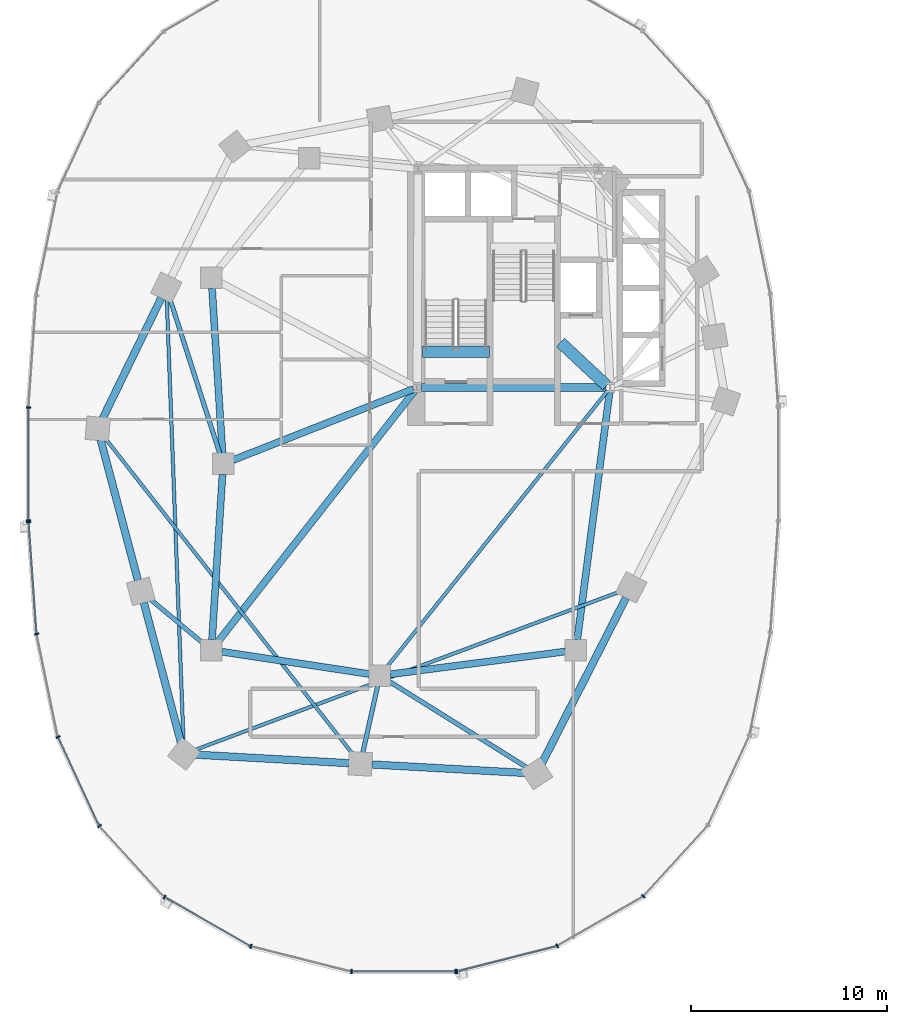
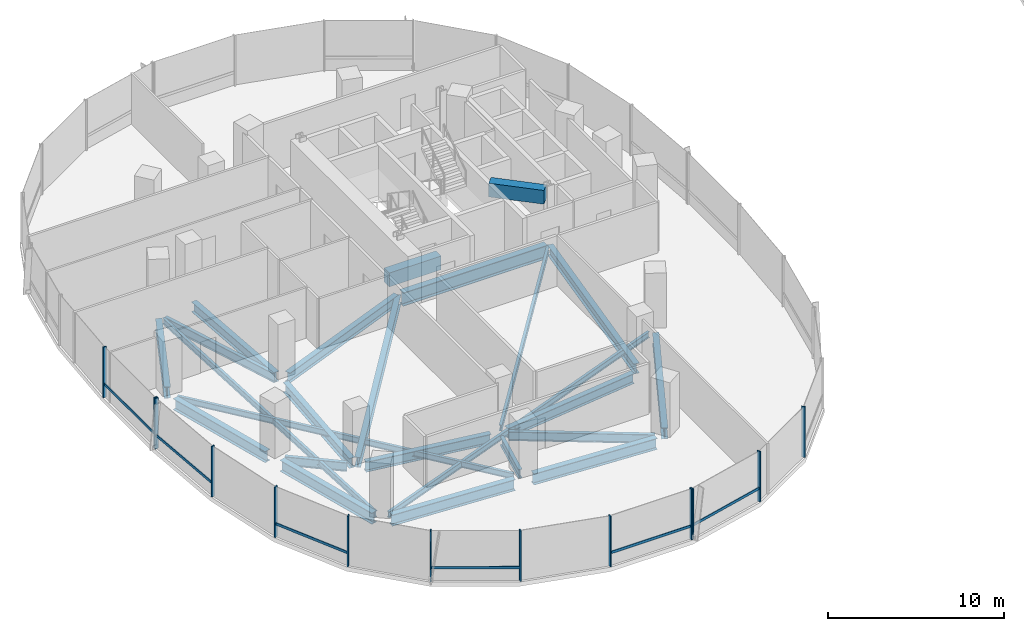
# One storey, part 2 of 21: 24 beams, 19 members, 3 elements without a shape of their own.
"""IFC4 building model written with IfcOpenShell, lengths in metres."""

from ifc_helpers import new_model, si_unit, direction, frame, origin, origin_2d, place, context, subcontext, project, spatial, rectangle, i_section, extrude, material, material_profile, profile_set, type_object, element, aggregate, save


model = new_model("IFC4")

# Units and contexts
model_context = context("Model", 3, precision=1e-05, world=origin(), true_north=direction((0.0, 1.0)))
body_context = subcontext(model_context, "Body", "Model", "MODEL_VIEW")
ifc_project = project(units=[si_unit("LENGTHUNIT", "METRE"), si_unit("AREAUNIT", "SQUARE_METRE"), si_unit("VOLUMEUNIT", "CUBIC_METRE"), si_unit("PLANEANGLEUNIT", "RADIAN"), si_unit("MASSUNIT", "GRAM", prefix="KILO"), si_unit("THERMODYNAMICTEMPERATUREUNIT", "KELVIN"), si_unit("POWERUNIT", "WATT")], contexts=[model_context])

# Site, building, storey
site_placement = place(None, origin())
site = spatial("IfcSite", under=ifc_project, at=site_placement, CompositionType="ELEMENT")
building_placement = place(site_placement, origin())
building = spatial("IfcBuilding", under=site, at=building_placement, Name="Cundina Bronze Exchange", CompositionType="ELEMENT")
storey_placement = place(building_placement, frame((0.0, 0.0, 27.800048828125)))
storey = spatial("IfcBuildingStorey", under=building, at=storey_placement, Name="L06", CompositionType="ELEMENT", Elevation=27.800048828125)

# Beams
ifc_material_1 = material(Name="Concrete C60/75", Category="concrete")
ifc_material_profile_1 = material_profile(ifc_material_1, rectangle(XDim=0.60009765625, YDim=0.949951171875, at=origin_2d()), Name="RC600X950", Category="concrete")
ifc_profile_set_1 = profile_set([ifc_material_profile_1], Name="Concrete C60/75")
beam_type_1 = type_object("IfcBeamType", Name="BM-COUP-RC950", PredefinedType="LINTEL", material=ifc_profile_set_1)
beam_1_placement = place(storey_placement, frame((-31.02001953125, 5.719970703125, -0.47509765625), z_axis=(1.0, 0.0, 0.0), x_axis=(0.0, 1.0, 0.0)))
element("IfcBeam", 1, at=beam_1_placement, inside=storey, type_object=beam_type_1, Name="L06 Stair W1 Landing Header Beam", PredefinedType="LINTEL", context=body_context, shape_type="SweptSolid", body=[
    extrude(rectangle(XDim=0.60009765625, YDim=0.949951171875, at=origin_2d()), origin(), (0.0, 0.0, 1.0), 3.39990234375),
])
beam_2_placement = place(storey_placement, frame((-23.989990234375, 6.199951171875, 3.02490234375), z_axis=(0.731490439815, -0.681851696822, 0.0), x_axis=(0.681851696822, 0.731490439815, 0.0)))
element("IfcBeam", 2, at=beam_2_placement, inside=storey, type_object=beam_type_1, Name="L06 W Core Shear Coupling Lintel Beam", PredefinedType="LINTEL", context=body_context, shape_type="SweptSolid", body=[
    extrude(rectangle(XDim=0.60009765625, YDim=0.949951171875, at=origin_2d()), origin(), (0.0, 0.0, 1.0), 3.226318359375),
])
ifc_material_2 = material(Name="Steel ASTM A992 Grade 50", Category="steel")
ifc_material_profile_2 = material_profile(ifc_material_2, i_section(OverallWidth=0.22998046875, OverallDepth=0.616943359375, WebThickness=0.01318359375, FlangeThickness=0.022216796875, FilletRadius=0.013916015625, at=origin_2d()), Name="W24X94", Category="steel")
ifc_profile_set_2 = profile_set([ifc_material_profile_2], Name="Steel ASTM A992 Grade 50")
beam_type_2 = type_object("IfcBeamType", Name="BM-FLR-W24B", PredefinedType="BEAM", material=ifc_profile_set_2)
beam_3_placement = place(storey_placement, frame((-41.364990234375, 0.51220703125, -0.608642578125), z_axis=(-0.306706454167, 0.951804155787, 0.0), x_axis=(-0.951804155787, -0.306706454167, 0.0)))
element("IfcBeam", 3, at=beam_3_placement, inside=storey, type_object=beam_type_2, Name="L06 Leg W Radial Floor Beam 07", PredefinedType="BEAM", context=body_context, shape_type="SweptSolid", body=[
    extrude(i_section(OverallWidth=0.22998046875, OverallDepth=0.616943359375, WebThickness=0.01318359375, FlangeThickness=0.022216796875, FilletRadius=0.013916015625, at=origin_2d()), origin(), (0.0, 0.0, 1.0), 8.329345703125),
])
beam_4_placement = place(storey_placement, frame((-42.21337890625, -9.155517578125, -0.608642578125), z_axis=(-0.768221279597, 0.640184399664, 0.0), x_axis=(-0.640184399664, -0.768221279597, 0.0)))
element("IfcBeam", 4, at=beam_4_placement, inside=storey, type_object=beam_type_2, Name="L06 Leg W Radial Floor Beam 09", PredefinedType="BEAM", context=body_context, shape_type="SweptSolid", body=[
    extrude(i_section(OverallWidth=0.22998046875, OverallDepth=0.616943359375, WebThickness=0.01318359375, FlangeThickness=0.022216796875, FilletRadius=0.013916015625, at=origin_2d()), origin(), (0.0, 0.0, 1.0), 3.56005859375),
])
beam_5_placement = place(storey_placement, frame((-33.316650390625, -11.3251953125, -0.608642578125), z_axis=(-0.216960137628, -0.976180464197, 0.0), x_axis=(0.976180464197, -0.216960137628, 0.0)))
element("IfcBeam", 5, at=beam_5_placement, inside=storey, type_object=beam_type_2, Name="L06 Leg W Radial Floor Beam 11", PredefinedType="BEAM", context=body_context, shape_type="SweptSolid", body=[
    extrude(i_section(OverallWidth=0.22998046875, OverallDepth=0.616943359375, WebThickness=0.01318359375, FlangeThickness=0.022216796875, FilletRadius=0.013916015625, at=origin_2d()), origin(), (0.0, 0.0, 1.0), 3.48388671875),
])
beam_6_placement = place(storey_placement, frame((-32.743896484375, -11.085205078125, -0.608642578125), z_axis=(0.848014812458, -0.529972525563, 0.0), x_axis=(0.529972525563, 0.848014812458, 0.0)))
element("IfcBeam", 6, at=beam_6_placement, inside=storey, type_object=beam_type_2, Name="L06 Leg W Radial Floor Beam 12", PredefinedType="BEAM", context=body_context, shape_type="SweptSolid", body=[
    extrude(i_section(OverallWidth=0.22998046875, OverallDepth=0.616943359375, WebThickness=0.01318359375, FlangeThickness=0.022216796875, FilletRadius=0.013916015625, at=origin_2d()), origin(), (0.0, 0.0, 1.0), 8.30810546875),
])
ifc_material_profile_3 = material_profile(ifc_material_2, i_section(OverallWidth=0.178955078125, OverallDepth=0.409912109375, WebThickness=0.0087890625, FlangeThickness=0.014404296875, FilletRadius=0.010986328125, at=origin_2d()), Name="W16X45", Category="steel")
ifc_profile_set_3 = profile_set([ifc_material_profile_3], Name="Steel ASTM A992 Grade 50")
beam_type_3 = type_object("IfcBeamType", Name="BM-JST-W16", PredefinedType="JOIST", material=ifc_profile_set_3)
beam_7_placement = place(storey_placement, frame((-21.577392578125, 3.740478515625, -0.505126953125), z_axis=(-0.62436887964, -0.781129632095, 0.0), x_axis=(0.781129632095, -0.62436887964, 0.0)))
element("IfcBeam", 7, at=beam_7_placement, inside=storey, type_object=beam_type_3, Name="L06 W Interior Core-to-Ring Joist 2", PredefinedType="JOIST", context=body_context, shape_type="SweptSolid", body=[
    extrude(i_section(OverallWidth=0.178955078125, OverallDepth=0.409912109375, WebThickness=0.0087890625, FlangeThickness=0.014404296875, FilletRadius=0.010986328125, at=origin_2d()), origin(), (0.0, 0.0, 1.0), 18.076904296875),
])
beam_8_placement = place(storey_placement, frame((-44.077880859375, 8.412353515625, -0.505126953125), z_axis=(0.037794949147, -0.999285515666, 0.0), x_axis=(0.999285515666, 0.037794949147, 0.0)))
element("IfcBeam", 8, at=beam_8_placement, inside=storey, type_object=beam_type_3, Name="L06 Leg W Lobe Floor Joist 07-10", PredefinedType="JOIST", context=body_context, shape_type="SweptSolid", body=[
    extrude(i_section(OverallWidth=0.178955078125, OverallDepth=0.409912109375, WebThickness=0.0087890625, FlangeThickness=0.014404296875, FilletRadius=0.010986328125, at=origin_2d()), origin(), (0.0, 0.0, 1.0), 22.640869140625),
])
beam_9_placement = place(storey_placement, frame((-47.2373046875, 1.337158203125, -0.505126953125), z_axis=(0.616803089524, -0.787117493614, 0.0), x_axis=(0.787117493614, 0.616803089524, 0.0)))
element("IfcBeam", 9, at=beam_9_placement, inside=storey, type_object=beam_type_3, Name="L06 Leg W Lobe Floor Joist 08-11", PredefinedType="JOIST", context=body_context, shape_type="SweptSolid", body=[
    extrude(i_section(OverallWidth=0.178955078125, OverallDepth=0.409912109375, WebThickness=0.0087890625, FlangeThickness=0.014404296875, FilletRadius=0.010986328125, at=origin_2d()), origin(), (0.0, 0.0, 1.0), 20.548828125),
])
beam_10_placement = place(storey_placement, frame((-42.64892578125, -14.5947265625, -0.505126953125), z_axis=(0.937127912449, 0.348986068074, 0.0), x_axis=(-0.348986068074, 0.937127912449, 0.0)))
element("IfcBeam", 10, at=beam_10_placement, inside=storey, type_object=beam_type_3, Name="L06 Leg W Lobe Floor Joist 10-13", PredefinedType="JOIST", context=body_context, shape_type="SweptSolid", body=[
    extrude(i_section(OverallWidth=0.178955078125, OverallDepth=0.409912109375, WebThickness=0.0087890625, FlangeThickness=0.014404296875, FilletRadius=0.010986328125, at=origin_2d()), origin(), (0.0, 0.0, 1.0), 23.18017578125),
])
ifc_material_profile_4 = material_profile(ifc_material_2, i_section(OverallWidth=0.35498046875, OverallDepth=0.695068359375, WebThickness=0.015380859375, FlangeThickness=0.02490234375, FilletRadius=0.01806640625, at=origin_2d()), Name="W27X146", Category="steel")
ifc_profile_set_4 = profile_set([ifc_material_profile_4], Name="Steel ASTM A992 Grade 50")
beam_type_4 = type_object("IfcBeamType", Name="BM-RING-W27", PredefinedType="USERDEFINED", material=ifc_profile_set_4)
for number, where, z_axis, x_axis, name in (
    (11, (-41.76611328125, 8.963134765625, -0.6474609375), (0.06303715519, -0.998011180832, 0.0), (0.998011180832, 0.06303715519, 0.0), "L06 W Inner Structural Ring Girder 03"),
    (12, (-41.23388671875, -0.536865234375, -0.6474609375), (-0.06303715519, -0.998011180832, 0.0), (0.998011180832, -0.06303715519, 0.0), "L06 W Inner Structural Ring Girder 04"),
):
    element("IfcBeam", number, at=place(storey_placement, frame(where, z_axis=z_axis, x_axis=x_axis)), inside=storey, type_object=beam_type_4, Name=name, ObjectType="GIRDER", PredefinedType="USERDEFINED", context=body_context, shape_type="SweptSolid", body=[
        extrude(i_section(OverallWidth=0.35498046875, OverallDepth=0.695068359375, WebThickness=0.015380859375, FlangeThickness=0.02490234375, FilletRadius=0.01806640625, at=origin_2d()), origin(), (0.0, 0.0, 1.0), 8.443115234375),
    ])
beam_11_placement = place(storey_placement, frame((-41.26806640625, -9.580322265625, -0.6474609375), z_axis=(0.988767489563, -0.149461873341, 0.0), x_axis=(0.149461873341, 0.988767489563, 0.0)))
element("IfcBeam", 13, at=beam_11_placement, inside=storey, type_object=beam_type_4, Name="L06 W Inner Structural Ring Girder 05", ObjectType="GIRDER", PredefinedType="USERDEFINED", context=body_context, shape_type="SweptSolid", body=[
    extrude(i_section(OverallWidth=0.35498046875, OverallDepth=0.695068359375, WebThickness=0.015380859375, FlangeThickness=0.02490234375, FilletRadius=0.01806640625, at=origin_2d()), origin(), (0.0, 0.0, 1.0), 7.621826171875),
])
beam_12_placement = place(storey_placement, frame((-32.66650390625, -10.730712890625, -0.6474609375), z_axis=(0.991654577907, 0.128923225666, 0.0), x_axis=(-0.128923225666, 0.991654577907, 0.0)))
element("IfcBeam", 14, at=beam_12_placement, inside=storey, type_object=beam_type_4, Name="L06 W Inner Structural Ring Girder 06", ObjectType="GIRDER", PredefinedType="USERDEFINED", context=body_context, shape_type="SweptSolid", body=[
    extrude(i_section(OverallWidth=0.35498046875, OverallDepth=0.695068359375, WebThickness=0.015380859375, FlangeThickness=0.02490234375, FilletRadius=0.01806640625, at=origin_2d()), origin(), (0.0, 0.0, 1.0), 9.00830078125),
])
beam_13_placement = place(storey_placement, frame((-23.13037109375, -8.966552734375, -0.6474609375), z_axis=(0.129507526533, 0.99157843894, 0.0), x_axis=(-0.99157843894, 0.129507526533, 0.0)))
element("IfcBeam", 15, at=beam_13_placement, inside=storey, type_object=beam_type_4, Name="L06 W Inner Structural Ring Girder 07", ObjectType="GIRDER", PredefinedType="USERDEFINED", context=body_context, shape_type="SweptSolid", body=[
    extrude(i_section(OverallWidth=0.35498046875, OverallDepth=0.695068359375, WebThickness=0.015380859375, FlangeThickness=0.02490234375, FilletRadius=0.01806640625, at=origin_2d()), origin(), (0.0, 0.0, 1.0), 12.77197265625),
])
beam_14_placement = place(storey_placement, frame((-31.48974609375, 3.8251953125, -0.6474609375), z_axis=(-0.930413235418, -0.366512225388, 0.0), x_axis=(0.366512225388, -0.930413235418, 0.0)))
element("IfcBeam", 16, at=beam_14_placement, inside=storey, type_object=beam_type_4, Name="L06 W Core-to-Waist Tie Beam 1", ObjectType="GIRDER", PredefinedType="USERDEFINED", context=body_context, shape_type="SweptSolid", body=[
    extrude(i_section(OverallWidth=0.35498046875, OverallDepth=0.695068359375, WebThickness=0.015380859375, FlangeThickness=0.02490234375, FilletRadius=0.01806640625, at=origin_2d()), origin(), (0.0, 0.0, 1.0), 9.8984375),
])
beam_15_placement = place(storey_placement, frame((-31.42578125, 3.739501953125, -0.6474609375), z_axis=(-0.616789275748, -0.787128318206, 0.0), x_axis=(0.787128318206, -0.616789275748, 0.0)))
element("IfcBeam", 17, at=beam_15_placement, inside=storey, type_object=beam_type_4, Name="L06 W Core-to-Waist Tie Beam 3", ObjectType="GIRDER", PredefinedType="USERDEFINED", context=body_context, shape_type="SweptSolid", body=[
    extrude(i_section(OverallWidth=0.35498046875, OverallDepth=0.695068359375, WebThickness=0.015380859375, FlangeThickness=0.02490234375, FilletRadius=0.01806640625, at=origin_2d()), origin(), (0.0, 0.0, 1.0), 16.281982421875),
])
ifc_material_profile_5 = material_profile(ifc_material_2, i_section(OverallWidth=0.381103515625, OverallDepth=0.77294921875, WebThickness=0.0166015625, FlangeThickness=0.027099609375, FilletRadius=0.01904296875, at=origin_2d()), Name="W30X173", Category="steel")
ifc_profile_set_5 = profile_set([ifc_material_profile_5], Name="Steel ASTM A992 Grade 50")
beam_type_5 = type_object("IfcBeamType", Name="BM-RING-W30", PredefinedType="USERDEFINED", material=ifc_profile_set_5)
beam_16_placement = place(storey_placement, frame((-44.357177734375, 8.47119140625, -0.6865234375), z_axis=(-0.437190698904, -0.899368830231, 0.0), x_axis=(0.899368830231, -0.437190698904, 0.0)))
element("IfcBeam", 18, at=beam_16_placement, inside=storey, type_object=beam_type_5, Name="L06 W Perimeter Ring Girder 07", ObjectType="GIRDER", PredefinedType="USERDEFINED", context=body_context, shape_type="SweptSolid", body=[
    extrude(i_section(OverallWidth=0.381103515625, OverallDepth=0.77294921875, WebThickness=0.0166015625, FlangeThickness=0.027099609375, FilletRadius=0.01904296875, at=origin_2d()), origin(), (0.0, 0.0, 1.0), 6.82958984375),
])
for number, where, z_axis, x_axis, name in (
    (19, (-47.44921875, 1.231689453125, -0.6865234375), (0.256177785604, -0.966629682021, 0.0), (0.966629682021, 0.256177785604, 0.0), "L06 W Perimeter Ring Girder 08"),
    (20, (-45.249267578125, -7.068359375, -0.6865234375), (0.256208567826, -0.966621523541, 0.0), (0.966621523541, 0.256208567826, 0.0), "L06 W Perimeter Ring Girder 09"),
):
    element("IfcBeam", number, at=place(storey_placement, frame(where, z_axis=z_axis, x_axis=x_axis)), inside=storey, type_object=beam_type_5, Name=name, ObjectType="GIRDER", PredefinedType="USERDEFINED", context=body_context, shape_type="SweptSolid", body=[
        extrude(i_section(OverallWidth=0.381103515625, OverallDepth=0.77294921875, WebThickness=0.0166015625, FlangeThickness=0.027099609375, FilletRadius=0.01904296875, at=origin_2d()), origin(), (0.0, 0.0, 1.0), 7.41064453125),
    ])
for number, where, z_axis, x_axis, name in (
    (21, (-42.61279296875, -14.83251953125, -0.6865234375), (0.998459969805, -0.055476920391, 0.0), (0.055476920391, 0.998459969805, 0.0), "L06 W Perimeter Ring Girder 10"),
    (22, (-33.61279296875, -15.33251953125, -0.6865234375), (0.998459969805, -0.055476920391, 0.0), (0.055476920391, 0.998459969805, 0.0), "L06 W Perimeter Ring Girder 11"),
):
    element("IfcBeam", number, at=place(storey_placement, frame(where, z_axis=z_axis, x_axis=x_axis)), inside=storey, type_object=beam_type_5, Name=name, ObjectType="GIRDER", PredefinedType="USERDEFINED", context=body_context, shape_type="SweptSolid", body=[
        extrude(i_section(OverallWidth=0.381103515625, OverallDepth=0.77294921875, WebThickness=0.0166015625, FlangeThickness=0.027099609375, FilletRadius=0.01904296875, at=origin_2d()), origin(), (0.0, 0.0, 1.0), 7.837646484375),
    ])
beam_17_placement = place(storey_placement, frame((-24.93359375, -15.275634765625, -0.6865234375), z_axis=(0.452819633606, 0.891602141889, 0.0), x_axis=(-0.891602141889, 0.452819633606, 0.0)))
element("IfcBeam", 23, at=beam_17_placement, inside=storey, type_object=beam_type_5, Name="L06 W Perimeter Ring Girder 12", ObjectType="GIRDER", PredefinedType="USERDEFINED", context=body_context, shape_type="SweptSolid", body=[
    extrude(i_section(OverallWidth=0.381103515625, OverallDepth=0.77294921875, WebThickness=0.0166015625, FlangeThickness=0.027099609375, FilletRadius=0.01904296875, at=origin_2d()), origin(), (0.0, 0.0, 1.0), 9.47900390625),
])
ifc_material_profile_6 = material_profile(ifc_material_2, i_section(OverallWidth=0.41796875, OverallDepth=0.927001953125, WebThickness=0.019287109375, FlangeThickness=0.031982421875, FilletRadius=0.02392578125, at=origin_2d()), Name="W36X231", Category="steel")
ifc_profile_set_6 = profile_set([ifc_material_profile_6], Name="Steel ASTM A992 Grade 50")
beam_type_6 = type_object("IfcBeamType", Name="BM-WRN-W36B", PredefinedType="USERDEFINED", material=ifc_profile_set_6)
beam_18_placement = place(storey_placement, frame((-31.095947265625, 3.89990234375, -0.763427734375), z_axis=(1.0, 0.0, 0.0), x_axis=(0.0, 1.0, 0.0)))
element("IfcBeam", 24, at=beam_18_placement, inside=storey, type_object=beam_type_6, Name="L06 W Core Perimeter Tie Girder 1", ObjectType="GIRDER", PredefinedType="USERDEFINED", context=body_context, shape_type="SweptSolid", body=[
    extrude(i_section(OverallWidth=0.41796875, OverallDepth=0.927001953125, WebThickness=0.019287109375, FlangeThickness=0.031982421875, FilletRadius=0.02392578125, at=origin_2d()), origin(), (0.0, 0.0, 1.0), 9.44189453125),
])

# Curtain wall, members
ifc_material_3 = material(Name="Anodised Bronze Aluminium 6063-T6", Category="aluminium")
curtain_wall_type = type_object("IfcCurtainWallType", Name="CWS-TRD-LOW", PredefinedType="NOTDEFINED", material=ifc_material_3)
curtain_wall_1_placement = place(storey_placement, origin())
curtain_wall_1 = element("IfcCurtainWall", 25, at=curtain_wall_1_placement, inside=storey, type_object=curtain_wall_type, Name="L06 CW-02 Curtain Wall Run CWR-L06-W2", PredefinedType="NOTDEFINED")
ifc_material_profile_7 = material_profile(ifc_material_3, rectangle(XDim=0.074951171875, YDim=0.219970703125, at=origin_2d()), Name="AL75X220", Category="aluminium")
ifc_profile_set_7 = profile_set([ifc_material_profile_7], Name="Anodised Bronze Aluminium 6063-T6")
member_type_1 = type_object("IfcMemberType", Name="CWM-MUL-220", PredefinedType="MULLION", material=ifc_profile_set_7)
member_1_placement = place(storey_placement, frame((-51.1279296875, 2.880615234375, 0.0), z_axis=(0.0, 0.0, 1.0), x_axis=(0.0, -1.0, 0.0)))
member_1 = element("IfcMember", 26, at=member_1_placement, type_object=member_type_1, Name="CW-02 Mullion 7", PredefinedType="MULLION", context=body_context, shape_type="SweptSolid", body=[
    extrude(rectangle(XDim=0.074951171875, YDim=0.219970703125, at=origin_2d()), origin(), (0.0, 0.0, 1.0), 3.5),
])
member_2_placement = place(storey_placement, frame((-51.1279296875, -2.880615234375, 0.0), z_axis=(0.0, 0.0, 1.0), x_axis=(0.0, -1.0, 0.0)))
member_2 = element("IfcMember", 27, at=member_2_placement, type_object=member_type_1, Name="CW-02 End Mullion", PredefinedType="MULLION", context=body_context, shape_type="SweptSolid", body=[
    extrude(rectangle(XDim=0.074951171875, YDim=0.219970703125, at=origin_2d()), origin(), (0.0, 0.0, 1.0), 3.5),
])

curtain_wall_2_placement = place(storey_placement, origin())
curtain_wall_2 = element("IfcCurtainWall", 28, at=curtain_wall_2_placement, inside=storey, type_object=curtain_wall_type, Name="L06 CW-02 Curtain Wall Run CWR-L06-W3", PredefinedType="NOTDEFINED")
member_3_placement = place(storey_placement, frame((-51.12451171875, -2.976318359375, 0.0), z_axis=(0.0, 0.0, 1.0), x_axis=(0.070278787473, -0.997527389113, 0.0)))
member_3 = element("IfcMember", 29, at=member_3_placement, type_object=member_type_1, Name="CW-02 Mullion 1", PredefinedType="MULLION", context=body_context, shape_type="SweptSolid", body=[
    extrude(rectangle(XDim=0.074951171875, YDim=0.219970703125, at=origin_2d()), origin(), (0.0, 0.0, 1.0), 3.5),
])
member_4_placement = place(storey_placement, frame((-50.717041015625, -8.67822265625, 0.0), z_axis=(0.0, 0.0, 1.0), x_axis=(0.201419845156, -0.979505000486, 0.0)))
member_4 = element("IfcMember", 30, at=member_4_placement, type_object=member_type_1, Name="CW-02 Mullion 2", PredefinedType="MULLION", context=body_context, shape_type="SweptSolid", body=[
    extrude(rectangle(XDim=0.074951171875, YDim=0.219970703125, at=origin_2d()), origin(), (0.0, 0.0, 1.0), 3.5),
])
member_5_placement = place(storey_placement, frame((-49.6279296875, -13.931884765625, 0.0), z_axis=(0.0, 0.0, 1.0), x_axis=(0.42087749791, -0.907117485088, 0.0)))
member_5 = element("IfcMember", 31, at=member_5_placement, type_object=member_type_1, Name="CW-02 Mullion 3", PredefinedType="MULLION", context=body_context, shape_type="SweptSolid", body=[
    extrude(rectangle(XDim=0.074951171875, YDim=0.219970703125, at=origin_2d()), origin(), (0.0, 0.0, 1.0), 3.5),
])
member_6_placement = place(storey_placement, frame((-47.508544921875, -18.47705078125, 0.0), z_axis=(0.0, 0.0, 1.0), x_axis=(0.674302387584, -0.738455340626, 0.0)))
member_6 = element("IfcMember", 32, at=member_6_placement, type_object=member_type_1, Name="CW-02 Mullion 4", PredefinedType="MULLION", context=body_context, shape_type="SweptSolid", body=[
    extrude(rectangle(XDim=0.074951171875, YDim=0.219970703125, at=origin_2d()), origin(), (0.0, 0.0, 1.0), 3.5),
])
member_7_placement = place(storey_placement, frame((-44.189697265625, -22.097412109375, 0.0), z_axis=(0.0, 0.0, 1.0), x_axis=(0.867070701164, -0.498185105339, 0.0)))
member_7 = element("IfcMember", 33, at=member_7_placement, type_object=member_type_1, Name="CW-02 Mullion 5", PredefinedType="MULLION", context=body_context, shape_type="SweptSolid", body=[
    extrude(rectangle(XDim=0.074951171875, YDim=0.219970703125, at=origin_2d()), origin(), (0.0, 0.0, 1.0), 3.5),
])
member_8_placement = place(storey_placement, frame((-39.78515625, -24.61669921875, 0.0), z_axis=(0.0, 0.0, 1.0), x_axis=(0.969488149345, -0.245138182011, 0.0)))
member_8 = element("IfcMember", 34, at=member_8_placement, type_object=member_type_1, Name="CW-02 Mullion 6", PredefinedType="MULLION", context=body_context, shape_type="SweptSolid", body=[
    extrude(rectangle(XDim=0.074951171875, YDim=0.219970703125, at=origin_2d()), origin(), (0.0, 0.0, 1.0), 3.5),
])
member_9_placement = place(storey_placement, frame((-34.654541015625, -25.905029296875, 0.0), z_axis=(0.0, 0.0, 1.0), x_axis=(1.0, 0.0, 0.0)))
member_9 = element("IfcMember", 35, at=member_9_placement, type_object=member_type_1, Name="CW-02 Mullion 7", PredefinedType="MULLION", context=body_context, shape_type="SweptSolid", body=[
    extrude(rectangle(XDim=0.074951171875, YDim=0.219970703125, at=origin_2d()), origin(), (0.0, 0.0, 1.0), 3.5),
])
member_10_placement = place(storey_placement, frame((-29.345458984375, -25.905029296875, 0.0), z_axis=(0.0, 0.0, 1.0), x_axis=(1.0, 0.0, 0.0)))
member_10 = element("IfcMember", 36, at=member_10_placement, type_object=member_type_1, Name="CW-02 End Mullion", PredefinedType="MULLION", context=body_context, shape_type="SweptSolid", body=[
    extrude(rectangle(XDim=0.074951171875, YDim=0.219970703125, at=origin_2d()), origin(), (0.0, 0.0, 1.0), 3.5),
])

curtain_wall_3_placement = place(storey_placement, origin())
curtain_wall_3 = element("IfcCurtainWall", 37, at=curtain_wall_3_placement, inside=storey, type_object=curtain_wall_type, Name="L06 CW-02 Curtain Wall Run CWR-L06-W4", PredefinedType="NOTDEFINED")
member_11_placement = place(storey_placement, frame((-29.27392578125, -25.89599609375, 0.0), z_axis=(0.0, 0.0, 1.0), x_axis=(0.969488149345, 0.245138182011, 0.0)))
member_11 = element("IfcMember", 38, at=member_11_placement, type_object=member_type_1, Name="CW-02 Mullion 1", PredefinedType="MULLION", context=body_context, shape_type="SweptSolid", body=[
    extrude(rectangle(XDim=0.074951171875, YDim=0.219970703125, at=origin_2d()), origin(), (0.0, 0.0, 1.0), 3.5),
])
member_12_placement = place(storey_placement, frame((-24.151123046875, -24.591064453125, 0.0), z_axis=(0.0, 0.0, 1.0), x_axis=(0.867070701164, 0.498185105339, 0.0)))
member_12 = element("IfcMember", 39, at=member_12_placement, type_object=member_type_1, Name="CW-02 Mullion 2", PredefinedType="MULLION", context=body_context, shape_type="SweptSolid", body=[
    extrude(rectangle(XDim=0.074951171875, YDim=0.219970703125, at=origin_2d()), origin(), (0.0, 0.0, 1.0), 3.5),
])
member_13_placement = place(storey_placement, frame((-19.760498046875, -22.0576171875, 0.0), z_axis=(0.0, 0.0, 1.0), x_axis=(0.674302387584, 0.738455340626, 0.0)))
member_13 = element("IfcMember", 40, at=member_13_placement, type_object=member_type_1, Name="CW-02 Mullion 3", PredefinedType="MULLION", context=body_context, shape_type="SweptSolid", body=[
    extrude(rectangle(XDim=0.074951171875, YDim=0.219970703125, at=origin_2d()), origin(), (0.0, 0.0, 1.0), 3.5),
])

# Member
ifc_material_profile_8 = material_profile(ifc_material_3, rectangle(XDim=0.070068359375, YDim=0.179931640625, at=origin_2d()), Name="AL70X180", Category="aluminium")
ifc_profile_set_8 = profile_set([ifc_material_profile_8], Name="Anodised Bronze Aluminium 6063-T6")
member_type_2 = type_object("IfcMemberType", Name="CWM-TRN-180", PredefinedType="USERDEFINED", material=ifc_profile_set_8)
member_14_placement = place(storey_placement, frame((-51.1279296875, 2.839111328125, 0.919921875), z_axis=(0.0, -1.0, 0.0), x_axis=(1.0, 0.0, 0.0)))
member_14 = element("IfcMember", 41, at=member_14_placement, type_object=member_type_2, Name="CW-02 Spandrel Transom 7", ObjectType="TRANSOM", PredefinedType="USERDEFINED", context=body_context, shape_type="SweptSolid", body=[
    extrude(rectangle(XDim=0.070068359375, YDim=0.179931640625, at=origin_2d()), origin(), (0.0, 0.0, 1.0), 5.67822265625),
])

aggregate(curtain_wall_1, [member_1, member_2, member_14])

member_15_placement = place(storey_placement, frame((-51.12158203125, -3.017333984375, 0.919921875), z_axis=(0.070260714471, -0.997528662246, 0.0), x_axis=(0.997528662246, 0.070260714471, 0.0)))
member_15 = element("IfcMember", 42, at=member_15_placement, type_object=member_type_2, Name="CW-02 Spandrel Transom 1", ObjectType="TRANSOM", PredefinedType="USERDEFINED", context=body_context, shape_type="SweptSolid", body=[
    extrude(rectangle(XDim=0.070068359375, YDim=0.179931640625, at=origin_2d()), origin(), (0.0, 0.0, 1.0), 5.629150390625),
])

member_16_placement = place(storey_placement, frame((-49.610595703125, -13.96923828125, 0.919921875), z_axis=(0.420811422796, -0.907148139195, 0.0), x_axis=(0.907148139195, 0.420811422796, 0.0)))
member_16 = element("IfcMember", 43, at=member_16_placement, type_object=member_type_2, Name="CW-02 Spandrel Transom 3", ObjectType="TRANSOM", PredefinedType="USERDEFINED", context=body_context, shape_type="SweptSolid", body=[
    extrude(rectangle(XDim=0.070068359375, YDim=0.179931640625, at=origin_2d()), origin(), (0.0, 0.0, 1.0), 4.95166015625),
])

member_17_placement = place(storey_placement, frame((-44.154052734375, -22.117919921875, 0.919921875), z_axis=(0.867097475651, -0.498138502546, 0.0), x_axis=(0.498138502546, 0.867097475651, 0.0)))
member_17 = element("IfcMember", 44, at=member_17_placement, type_object=member_type_2, Name="CW-02 Spandrel Transom 5", ObjectType="TRANSOM", PredefinedType="USERDEFINED", context=body_context, shape_type="SweptSolid", body=[
    extrude(rectangle(XDim=0.070068359375, YDim=0.179931640625, at=origin_2d()), origin(), (0.0, 0.0, 1.0), 5.00634765625),
])

member_18_placement = place(storey_placement, frame((-34.61328125, -25.905029296875, 0.919921875), z_axis=(1.0, 0.0, 0.0), x_axis=(0.0, 1.0, 0.0)))
member_18 = element("IfcMember", 45, at=member_18_placement, type_object=member_type_2, Name="CW-02 Spandrel Transom 7", ObjectType="TRANSOM", PredefinedType="USERDEFINED", context=body_context, shape_type="SweptSolid", body=[
    extrude(rectangle(XDim=0.070068359375, YDim=0.179931640625, at=origin_2d()), origin(), (0.0, 0.0, 1.0), 5.2265625),
])

aggregate(curtain_wall_2, [member_3, member_15, member_4, member_5, member_16, member_6, member_7, member_17, member_8, member_9, member_10, member_18])

member_19_placement = place(storey_placement, frame((-29.23388671875, -25.885986328125, 0.919921875), z_axis=(0.969483968866, 0.245154714644, 0.0), x_axis=(-0.245154714644, 0.969483968866, 0.0)))
member_19 = element("IfcMember", 46, at=member_19_placement, type_object=member_type_2, Name="CW-02 Spandrel Transom 1", ObjectType="TRANSOM", PredefinedType="USERDEFINED", context=body_context, shape_type="SweptSolid", body=[
    extrude(rectangle(XDim=0.070068359375, YDim=0.179931640625, at=origin_2d()), origin(), (0.0, 0.0, 1.0), 5.21826171875),
])

aggregate(curtain_wall_3, [member_11, member_19, member_12, member_13])

save(model, "model.ifc")
